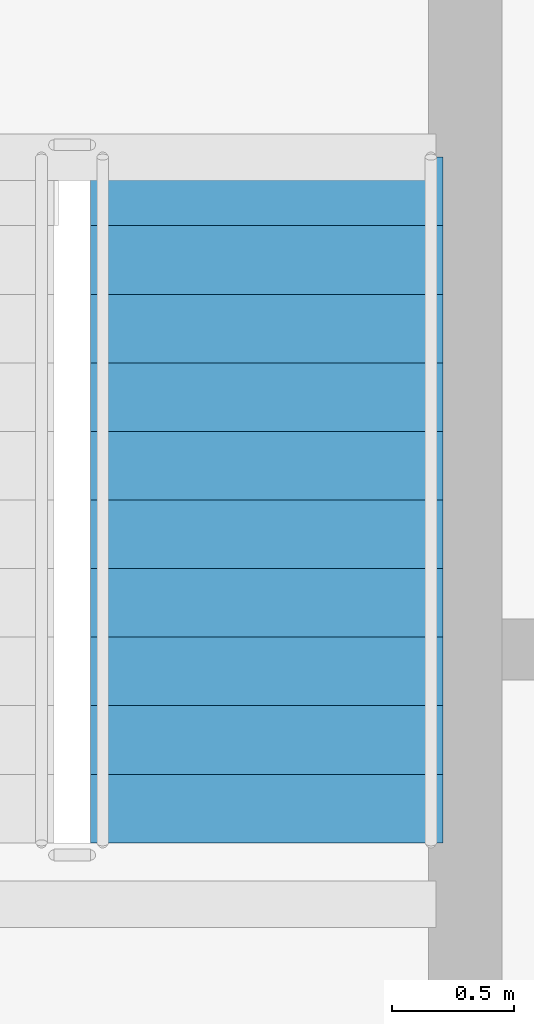
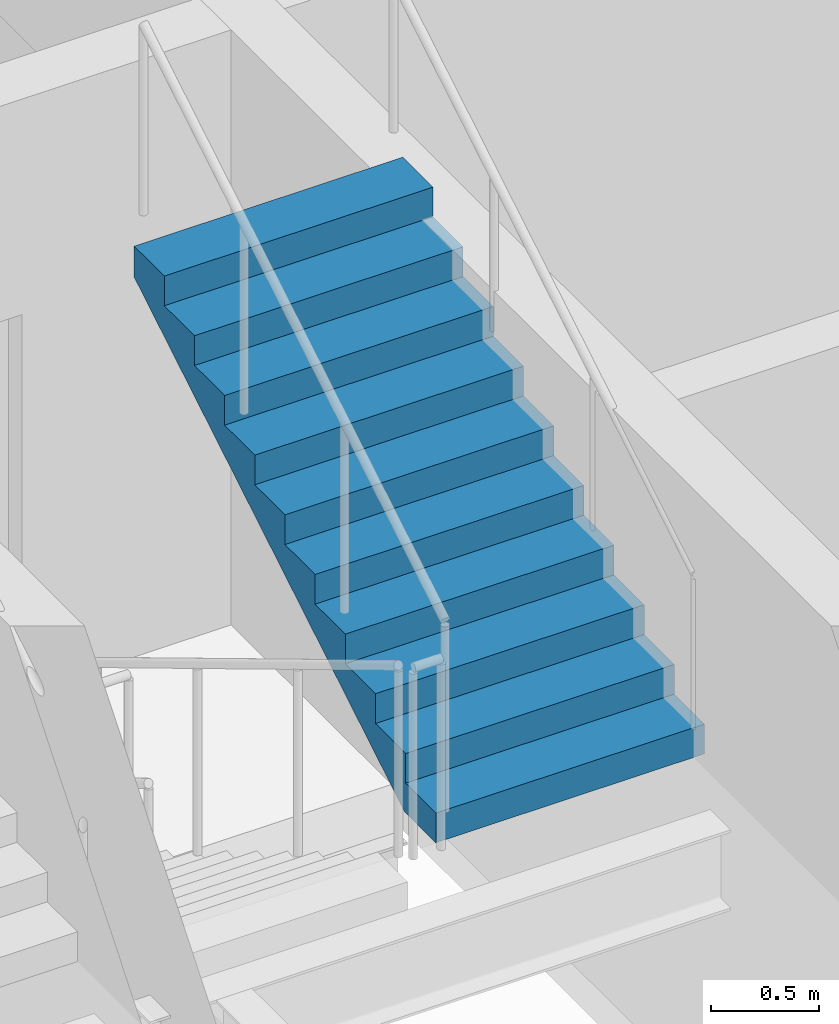
# One storey, part 24 of 29: 1 stair flight, 1 element without a shape of its own.
"""IFC4 building model written with IfcOpenShell, lengths in metres."""

from ifc_helpers import new_model, si_unit, direction, frame, origin, place, context, subcontext, project, spatial, polyline, outline, extrude, material, layer, layer_set, type_object, element, aggregate, save


model = new_model("IFC4")

# Units and contexts
model_context = context("Model", 3, precision=1e-05, world=origin(), true_north=direction((0.0, 1.0)))
body_context = subcontext(model_context, "Body", "Model", "MODEL_VIEW")
ifc_project = project(units=[si_unit("LENGTHUNIT", "METRE"), si_unit("AREAUNIT", "SQUARE_METRE"), si_unit("VOLUMEUNIT", "CUBIC_METRE"), si_unit("PLANEANGLEUNIT", "RADIAN"), si_unit("MASSUNIT", "GRAM", prefix="KILO")], contexts=[model_context])

# Site, building, storey
site_placement = place(None, origin())
site = spatial("IfcSite", under=ifc_project, at=site_placement, CompositionType="ELEMENT")
building_placement = place(site_placement, origin())
building = spatial("IfcBuilding", under=site, at=building_placement, Name="Solvaryn Broadcast Tower", CompositionType="ELEMENT")
storey_placement = place(building_placement, frame((0.0, 0.0, 165.5)))
storey = spatial("IfcBuildingStorey", under=building, at=storey_placement, Name="L41", CompositionType="ELEMENT", Elevation=165.5)

# Stair, stair flight
ifc_material_1 = material(Name="Concrete f'c 60 MPa", Category="concrete")
stair_type = type_object("IfcStairType", Name="ST-CORE", PredefinedType="HALF_TURN_STAIR", material=ifc_material_1)
stair_placement = place(storey_placement, origin())
stair = element("IfcStair", 1, at=stair_placement, inside=storey, type_object=stair_type, Name="L41 ST2", PredefinedType="HALF_TURN_STAIR")
ifc_material_2 = material(Name="Concrete f'c 60 MPa", Category="concrete")
ifc_layer = layer(ifc_material_2, 0.159912109375)
ifc_layer_set = layer_set([ifc_layer], Name="SF-CORE")
stair_flight_type = type_object("IfcStairFlightType", Name="SF-CORE", PredefinedType="STRAIGHT", material=ifc_layer_set)
stair_flight_placement = place(storey_placement, frame((17.110107421875, 33.159912109375, 1.85009765625), z_axis=(0.0, 0.0, 1.0), x_axis=(0.0, 1.0, 0.0)))
stair_flight = element("IfcStairFlight", 2, at=stair_flight_placement, type_object=stair_flight_type, Name="ST2 flight 2", NumberOfRisers=11, NumberOfTreads=10, PredefinedType="STRAIGHT", RiserHeight=0.168181818, TreadLength=0.28, context=body_context, shape_type="SweptSolid", body=[
    extrude(outline(polyline([(0.0, 0.0), (0.0, 0.168212890625), (0.280029296875, 0.168212890625), (0.280029296875, 0.33642578125), (0.56005859375, 0.33642578125), (0.56005859375, 0.504638671875), (0.840087890625, 0.504638671875), (0.840087890625, 0.672607421875), (1.1201171875, 0.672607421875), (1.1201171875, 0.8408203125), (1.39990234375, 0.8408203125), (1.39990234375, 1.009033203125), (1.679931640625, 1.009033203125), (1.679931640625, 1.17724609375), (1.9599609375, 1.17724609375), (1.9599609375, 1.345458984375), (2.239990234375, 1.345458984375), (2.239990234375, 1.513671875), (2.52001953125, 1.513671875), (2.52001953125, 1.681884765625), (2.800048828125, 1.681884765625), (2.800048828125, 1.85009765625), (2.800048828125, 1.5068359375), (0.291015625, 0.0), (0.0, 0.0)])), frame((0.0, 0.719970703125, 0.0), z_axis=(0.0, -1.0, 0.0), x_axis=(1.0, 0.0, 0.0)), (0.0, 0.0, 1.0), 1.43994140625),
])
aggregate(stair, [stair_flight])

save(model, "model.ifc")
